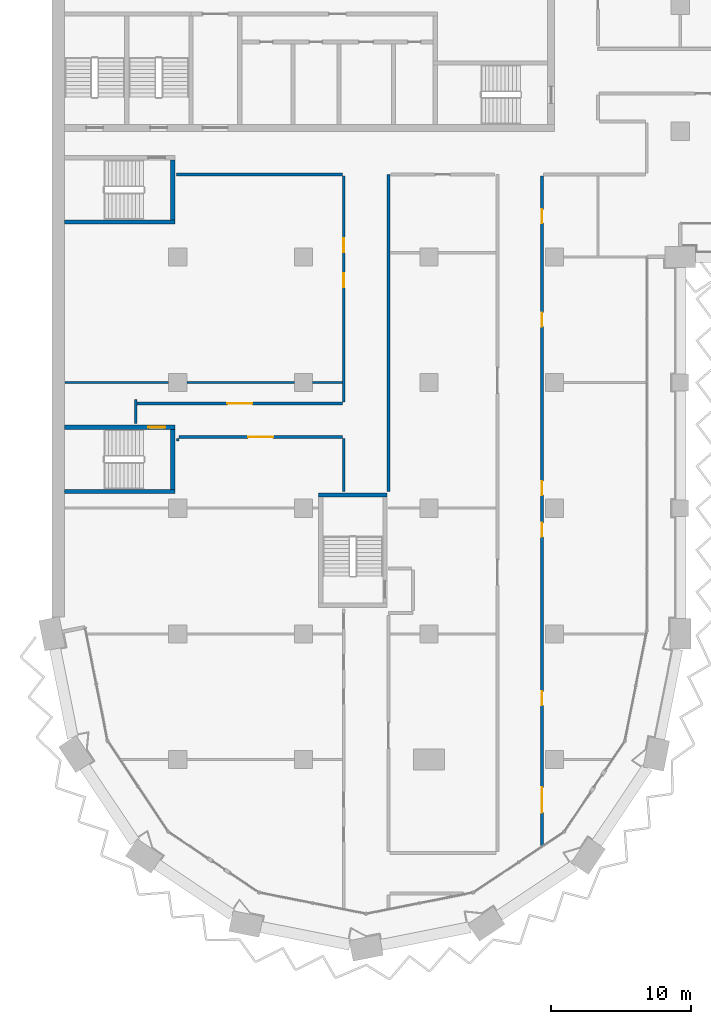
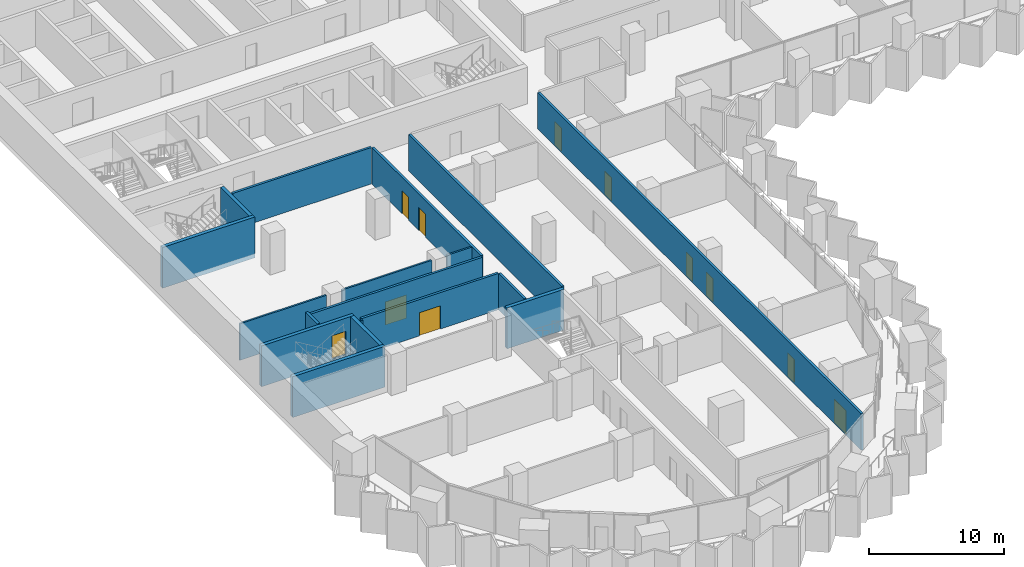
# One storey, part 10 of 23: 18 walls, 11 doors, 11 openings.
"""IFC4 building model written with IfcOpenShell, lengths in metres."""

from ifc_helpers import new_model, si_unit, direction, frame, frame_2d, origin, place, context, subcontext, project, spatial, rectangle, extrude, material, layer, layer_set, type_object, element, fill, save


model = new_model("IFC4")

# Units and contexts
model_context = context("Model", 3, precision=1e-05, world=origin(), true_north=direction((0.0, 1.0)))
body_context = subcontext(model_context, "Body", "Model", "MODEL_VIEW")
ifc_project = project(units=[si_unit("LENGTHUNIT", "METRE"), si_unit("AREAUNIT", "SQUARE_METRE"), si_unit("VOLUMEUNIT", "CUBIC_METRE"), si_unit("PLANEANGLEUNIT", "RADIAN"), si_unit("MASSUNIT", "GRAM", prefix="KILO")], contexts=[model_context])

# Site, building, storey
site_placement = place(None, origin())
site = spatial("IfcSite", under=ifc_project, at=site_placement, CompositionType="ELEMENT")
building_placement = place(site_placement, origin())
building = spatial("IfcBuilding", under=site, at=building_placement, Name="Hunhe Ridgeline Campus", CompositionType="ELEMENT")
storey_placement = place(building_placement, frame((0.0, 0.0, 99.60009765625)))
storey = spatial("IfcBuildingStorey", under=building, at=storey_placement, Name="L24", CompositionType="ELEMENT", Elevation=99.60009765625)

# Wall, opening, door
ifc_material_1 = material(Name="Gypsum board partition")
ifc_layer_1 = layer(ifc_material_1, 0.199951171875)
ifc_layer_set_1 = layer_set([ifc_layer_1], Name="Corridor partition 200 gypsum board on steel studs")
wall_type_1 = type_object("IfcWallType", Name="Corridor partition 200 gypsum board on steel studs", PredefinedType="PARTITIONING", material=ifc_layer_set_1)
wall_1_placement = place(storey_placement, frame((20.800048828125, 41.10009765625, 0.0), z_axis=(0.0, 0.0, 1.0), x_axis=(-1.0, 0.0, 0.0)))
wall_1 = element("IfcWall", 1, at=wall_1_placement, inside=storey, type_object=wall_type_1, Name="F-L24-wall-020", PredefinedType="PARTITIONING", context=body_context, shape_type="SweptSolid", body=[
    extrude(rectangle(XDim=11.72509765625, YDim=0.199951171875, at=frame_2d((5.862548828125, 0.0))), origin(), (0.0, 0.0, 1.0), 3.2998046875),
])
opening_1_placement = place(wall_1_placement, frame((4.96240234375, 0.0, 0.0)))
opening_1 = element("IfcOpeningElement", 2, at=opening_1_placement, cuts=wall_1, Name="Opening RD2-012", PredefinedType="OPENING", context=body_context, shape_type="SweptSolid", body=[
    extrude(rectangle(XDim=1.800048828125, YDim=2.10009765625, at=frame_2d((0.89990234375, 1.050048828125))), frame((0.0, 0.10009765625, 0.0), z_axis=(0.0, -1.0, 0.0), x_axis=(1.0, 0.0, 0.0)), (0.0, 0.0, 1.0), 0.199951171875),
])
ifc_material_2 = material(Name="Timber door leaf", Category="wood")
door_type_1 = type_object("IfcDoorType", Name="Double fire door 1800x2100 timber FD60", OperationType="DOUBLE_DOOR_SINGLE_SWING", PredefinedType="DOOR", material=ifc_material_2)
door_1_placement = place(opening_1_placement, origin())
door_1 = element("IfcDoor", 3, at=door_1_placement, inside=storey, type_object=door_type_1, Name="F-L24-door-012", OperationType="DOUBLE_DOOR_SINGLE_SWING", OverallHeight=2.10009765625, OverallWidth=1.800048828125, PredefinedType="DOOR", context=body_context, shape_type="SweptSolid", body=[
    extrude(rectangle(XDim=1.800048828125, YDim=2.10009765625, at=frame_2d((0.89990234375, 1.050048828125))), frame((0.0, 0.02490234375, 0.0), z_axis=(0.0, -1.0, 0.0), x_axis=(1.0, 0.0, 0.0)), (0.0, 0.0, 1.0), 0.050048828125),
])
fill(opening_1, door_1)

wall_2_placement = place(storey_placement, frame((6.10009765625, 43.5, 0.0), z_axis=(0.0, 0.0, 1.0), x_axis=(1.0, 0.0, 0.0)))
wall_2 = element("IfcWall", 4, at=wall_2_placement, inside=storey, type_object=wall_type_1, Name="F-L24-wall-021", PredefinedType="PARTITIONING", context=body_context, shape_type="SweptSolid", body=[
    extrude(rectangle(XDim=14.699951171875, YDim=0.199951171875, at=frame_2d((7.35009765625, 0.0))), origin(), (0.0, 0.0, 1.0), 3.2998046875),
])
opening_2_placement = place(wall_2_placement, frame((6.449951171875, 0.0, 0.0)))
opening_2 = element("IfcOpeningElement", 5, at=opening_2_placement, cuts=wall_2, Name="Opening RD2-013", PredefinedType="OPENING", context=body_context, shape_type="SweptSolid", body=[
    extrude(rectangle(XDim=1.800048828125, YDim=2.10009765625, at=frame_2d((0.89990234375, 1.050048828125))), frame((0.0, 0.10009765625, 0.0), z_axis=(0.0, -1.0, 0.0), x_axis=(1.0, 0.0, 0.0)), (0.0, 0.0, 1.0), 0.199951171875),
])
door_2_placement = place(opening_2_placement, origin())
door_2 = element("IfcDoor", 6, at=door_2_placement, inside=storey, type_object=door_type_1, Name="F-L24-door-013", OperationType="DOUBLE_DOOR_SINGLE_SWING", OverallHeight=2.10009765625, OverallWidth=1.800048828125, PredefinedType="DOOR", context=body_context, shape_type="SweptSolid", body=[
    extrude(rectangle(XDim=1.800048828125, YDim=2.10009765625, at=frame_2d((0.89990234375, 1.050048828125))), frame((0.0, 0.02490234375, 0.0), z_axis=(0.0, -1.0, 0.0), x_axis=(1.0, 0.0, 0.0)), (0.0, 0.0, 1.0), 0.050048828125),
])
fill(opening_2, door_2)

# Walls
wall_3_placement = place(storey_placement, frame((20.796630859375, 59.89990234375, 0.0), z_axis=(0.0, 0.0, 1.0), x_axis=(-1.0, 0.0, 0.0)))
element("IfcWall", 7, at=wall_3_placement, inside=storey, type_object=wall_type_1, Name="F-L24-wall-029", PredefinedType="PARTITIONING", context=body_context, shape_type="SweptSolid", body=[
    extrude(rectangle(XDim=11.892578125, YDim=0.199951171875, at=frame_2d((5.9462890625, 0.0))), origin(), (0.0, 0.0, 1.0), 3.2998046875),
])
wall_4_placement = place(storey_placement, frame((6.0, 42.053955078125, 0.0), z_axis=(0.0, 0.0, 1.0), x_axis=(0.0, 1.0, 0.0)))
element("IfcWall", 8, at=wall_4_placement, inside=storey, type_object=wall_type_1, Name="F-L24-wall-040", PredefinedType="PARTITIONING", context=body_context, shape_type="SweptSolid", body=[
    extrude(rectangle(XDim=1.74609375, YDim=0.199951171875, at=frame_2d((0.873046875, 0.0))), origin(), (0.0, 0.0, 1.0), 3.2998046875),
])
wall_5_placement = place(storey_placement, frame((20.89990234375, 37.2041015625, 0.0), z_axis=(0.0, 0.0, 1.0), x_axis=(0.0, 1.0, 0.0)))
element("IfcWall", 9, at=wall_5_placement, inside=storey, type_object=wall_type_1, Name="F-L24-wall-043", PredefinedType="PARTITIONING", context=body_context, shape_type="SweptSolid", body=[
    extrude(rectangle(XDim=3.7958984375, YDim=0.199951171875, at=frame_2d((1.89794921875, 0.0))), origin(), (0.0, 0.0, 1.0), 3.2998046875),
])

# Wall, openings, doors
wall_6_placement = place(storey_placement, frame((20.89990234375, 43.6181640625, 0.0), z_axis=(0.0, 0.0, 1.0), x_axis=(0.0, 1.0, 0.0)))
wall_6 = element("IfcWall", 10, at=wall_6_placement, inside=storey, type_object=wall_type_1, Name="F-L24-wall-044", PredefinedType="PARTITIONING", context=body_context, shape_type="SweptSolid", body=[
    extrude(rectangle(XDim=16.181884765625, YDim=0.199951171875, at=frame_2d((8.0908203125, 0.0))), origin(), (0.0, 0.0, 1.0), 3.2998046875),
])
opening_3_placement = place(wall_6_placement, frame((8.22314453125, 0.0, 0.0)))
opening_3 = element("IfcOpeningElement", 11, at=opening_3_placement, cuts=wall_6, Name="Opening RD1-016", PredefinedType="OPENING", context=body_context, shape_type="SweptSolid", body=[
    extrude(rectangle(XDim=1.0, YDim=2.10009765625, at=frame_2d((0.5, 1.050048828125))), frame((0.0, 0.10009765625, 0.0), z_axis=(0.0, -1.0, 0.0), x_axis=(1.0, 0.0, 0.0)), (0.0, 0.0, 1.0), 0.199951171875),
])
opening_4_placement = place(wall_6_placement, frame((10.72314453125, 0.0, 0.0)))
opening_4 = element("IfcOpeningElement", 12, at=opening_4_placement, cuts=wall_6, Name="Opening RD1-017", PredefinedType="OPENING", context=body_context, shape_type="SweptSolid", body=[
    extrude(rectangle(XDim=1.0, YDim=2.10009765625, at=frame_2d((0.5, 1.050048828125))), frame((0.0, 0.10009765625, 0.0), z_axis=(0.0, -1.0, 0.0), x_axis=(1.0, 0.0, 0.0)), (0.0, 0.0, 1.0), 0.199951171875),
])
door_type_2 = type_object("IfcDoorType", Name="Single fire door 1000x2100 timber FD60", OperationType="NOTDEFINED", PredefinedType="DOOR", material=ifc_material_2)
door_3_placement = place(opening_3_placement, frame((1.0, 0.0, 0.0), z_axis=(0.0, 0.0, 1.0), x_axis=(-1.0, 0.0, 0.0)))
door_3 = element("IfcDoor", 13, at=door_3_placement, inside=storey, type_object=door_type_2, Name="F-L24-door-016", OperationType="SINGLE_SWING_RIGHT", OverallHeight=2.10009765625, OverallWidth=1.0, PredefinedType="DOOR", context=body_context, shape_type="SweptSolid", body=[
    extrude(rectangle(XDim=1.0, YDim=2.10009765625, at=frame_2d((0.5, 1.050048828125))), frame((0.0, 0.02490234375, 0.0), z_axis=(0.0, -1.0, 0.0), x_axis=(1.0, 0.0, 0.0)), (0.0, 0.0, 1.0), 0.050048828125),
])
fill(opening_3, door_3)
door_4_placement = place(opening_4_placement, frame((1.0, 0.0, 0.0), z_axis=(0.0, 0.0, 1.0), x_axis=(-1.0, 0.0, 0.0)))
door_4 = element("IfcDoor", 14, at=door_4_placement, inside=storey, type_object=door_type_2, Name="F-L24-door-017", OperationType="SINGLE_SWING_LEFT", OverallHeight=2.10009765625, OverallWidth=1.0, PredefinedType="DOOR", context=body_context, shape_type="SweptSolid", body=[
    extrude(rectangle(XDim=1.0, YDim=2.10009765625, at=frame_2d((0.5, 1.050048828125))), frame((0.0, 0.02490234375, 0.0), z_axis=(0.0, -1.0, 0.0), x_axis=(1.0, 0.0, 0.0)), (0.0, 0.0, 1.0), 0.050048828125),
])
fill(opening_4, door_4)

# Wall
wall_7_placement = place(storey_placement, frame((24.10009765625, 59.89990234375, 0.0), z_axis=(0.0, 0.0, 1.0), x_axis=(0.0, -1.0, 0.0)))
element("IfcWall", 15, at=wall_7_placement, inside=storey, type_object=wall_type_1, Name="F-L24-wall-047", PredefinedType="PARTITIONING", context=body_context, shape_type="SweptSolid", body=[
    extrude(rectangle(XDim=22.69580078125, YDim=0.199951171875, at=frame_2d((11.347900390625, 0.0))), origin(), (0.0, 0.0, 1.0), 3.2998046875),
])

# Wall, openings, doors
wall_8_placement = place(storey_placement, frame((35.10009765625, 59.800048828125, 0.0), z_axis=(0.0, 0.0, 1.0), x_axis=(0.0, -1.0, 0.0)))
wall_8 = element("IfcWall", 16, at=wall_8_placement, inside=storey, type_object=wall_type_1, Name="F-L24-wall-050", PredefinedType="PARTITIONING", context=body_context, shape_type="SweptSolid", body=[
    extrude(rectangle(XDim=47.968994140625, YDim=0.199951171875, at=frame_2d((23.984375, 0.0))), origin(), (0.0, 0.0, 1.0), 3.2998046875),
])
opening_5_placement = place(wall_8_placement, frame((43.803955078125, 0.0, 0.0)))
opening_5 = element("IfcOpeningElement", 17, at=opening_5_placement, cuts=wall_8, Name="Opening RD2-003", PredefinedType="OPENING", context=body_context, shape_type="SweptSolid", body=[
    extrude(rectangle(XDim=1.800048828125, YDim=2.10009765625, at=frame_2d((0.89990234375, 1.050048828125))), frame((0.0, 0.10009765625, 0.0), z_axis=(0.0, -1.0, 0.0), x_axis=(1.0, 0.0, 0.0)), (0.0, 0.0, 1.0), 0.199951171875),
])
opening_6_placement = place(wall_8_placement, frame((36.9208984375, 0.0, 0.0)))
opening_6 = element("IfcOpeningElement", 18, at=opening_6_placement, cuts=wall_8, Name="Opening RD1-005", PredefinedType="OPENING", context=body_context, shape_type="SweptSolid", body=[
    extrude(rectangle(XDim=1.0, YDim=2.10009765625, at=frame_2d((0.5, 1.050048828125))), frame((0.0, 0.10009765625, 0.0), z_axis=(0.0, -1.0, 0.0), x_axis=(1.0, 0.0, 0.0)), (0.0, 0.0, 1.0), 0.199951171875),
])
opening_7_placement = place(wall_8_placement, frame((24.85888671875, 0.0, 0.0)))
opening_7 = element("IfcOpeningElement", 19, at=opening_7_placement, cuts=wall_8, Name="Opening RD1-010", PredefinedType="OPENING", context=body_context, shape_type="SweptSolid", body=[
    extrude(rectangle(XDim=1.0, YDim=2.10009765625, at=frame_2d((0.5, 1.050048828125))), frame((0.0, 0.10009765625, 0.0), z_axis=(0.0, -1.0, 0.0), x_axis=(1.0, 0.0, 0.0)), (0.0, 0.0, 1.0), 0.199951171875),
])
opening_8_placement = place(wall_8_placement, frame((21.85888671875, 0.0, 0.0)))
opening_8 = element("IfcOpeningElement", 20, at=opening_8_placement, cuts=wall_8, Name="Opening RD1-011", PredefinedType="OPENING", context=body_context, shape_type="SweptSolid", body=[
    extrude(rectangle(XDim=1.0, YDim=2.10009765625, at=frame_2d((0.5, 1.050048828125))), frame((0.0, 0.10009765625, 0.0), z_axis=(0.0, -1.0, 0.0), x_axis=(1.0, 0.0, 0.0)), (0.0, 0.0, 1.0), 0.199951171875),
])
opening_9_placement = place(wall_8_placement, frame((9.797119140625, 0.0, 0.0)))
opening_9 = element("IfcOpeningElement", 21, at=opening_9_placement, cuts=wall_8, Name="Opening RD1-015", PredefinedType="OPENING", context=body_context, shape_type="SweptSolid", body=[
    extrude(rectangle(XDim=1.0, YDim=2.10009765625, at=frame_2d((0.5, 1.050048828125))), frame((0.0, 0.10009765625, 0.0), z_axis=(0.0, -1.0, 0.0), x_axis=(1.0, 0.0, 0.0)), (0.0, 0.0, 1.0), 0.199951171875),
])
opening_10_placement = place(wall_8_placement, frame((2.38818359375, 0.0, 0.0)))
opening_10 = element("IfcOpeningElement", 22, at=opening_10_placement, cuts=wall_8, Name="Opening RD1-018", PredefinedType="OPENING", context=body_context, shape_type="SweptSolid", body=[
    extrude(rectangle(XDim=1.0, YDim=2.10009765625, at=frame_2d((0.5, 1.050048828125))), frame((0.0, 0.10009765625, 0.0), z_axis=(0.0, -1.0, 0.0), x_axis=(1.0, 0.0, 0.0)), (0.0, 0.0, 1.0), 0.199951171875),
])
door_5_placement = place(opening_5_placement, origin())
door_5 = element("IfcDoor", 23, at=door_5_placement, inside=storey, type_object=door_type_1, Name="F-L24-door-003", OperationType="DOUBLE_DOOR_SINGLE_SWING", OverallHeight=2.10009765625, OverallWidth=1.800048828125, PredefinedType="DOOR", context=body_context, shape_type="SweptSolid", body=[
    extrude(rectangle(XDim=1.800048828125, YDim=2.10009765625, at=frame_2d((0.89990234375, 1.050048828125))), frame((0.0, 0.02490234375, 0.0), z_axis=(0.0, -1.0, 0.0), x_axis=(1.0, 0.0, 0.0)), (0.0, 0.0, 1.0), 0.050048828125),
])
fill(opening_5, door_5)
door_6_placement = place(opening_6_placement, origin())
door_6 = element("IfcDoor", 24, at=door_6_placement, inside=storey, type_object=door_type_2, Name="F-L24-door-005", OperationType="SINGLE_SWING_LEFT", OverallHeight=2.10009765625, OverallWidth=1.0, PredefinedType="DOOR", context=body_context, shape_type="SweptSolid", body=[
    extrude(rectangle(XDim=1.0, YDim=2.10009765625, at=frame_2d((0.5, 1.050048828125))), frame((0.0, 0.02490234375, 0.0), z_axis=(0.0, -1.0, 0.0), x_axis=(1.0, 0.0, 0.0)), (0.0, 0.0, 1.0), 0.050048828125),
])
fill(opening_6, door_6)
door_7_placement = place(opening_7_placement, frame((1.0, 0.0, 0.0), z_axis=(0.0, 0.0, 1.0), x_axis=(-1.0, 0.0, 0.0)))
door_7 = element("IfcDoor", 25, at=door_7_placement, inside=storey, type_object=door_type_2, Name="F-L24-door-010", OperationType="SINGLE_SWING_LEFT", OverallHeight=2.10009765625, OverallWidth=1.0, PredefinedType="DOOR", context=body_context, shape_type="SweptSolid", body=[
    extrude(rectangle(XDim=1.0, YDim=2.10009765625, at=frame_2d((0.5, 1.050048828125))), frame((0.0, 0.02490234375, 0.0), z_axis=(0.0, -1.0, 0.0), x_axis=(1.0, 0.0, 0.0)), (0.0, 0.0, 1.0), 0.050048828125),
])
fill(opening_7, door_7)
door_8_placement = place(opening_8_placement, frame((1.0, 0.0, 0.0), z_axis=(0.0, 0.0, 1.0), x_axis=(-1.0, 0.0, 0.0)))
door_8 = element("IfcDoor", 26, at=door_8_placement, inside=storey, type_object=door_type_2, Name="F-L24-door-011", OperationType="SINGLE_SWING_RIGHT", OverallHeight=2.10009765625, OverallWidth=1.0, PredefinedType="DOOR", context=body_context, shape_type="SweptSolid", body=[
    extrude(rectangle(XDim=1.0, YDim=2.10009765625, at=frame_2d((0.5, 1.050048828125))), frame((0.0, 0.02490234375, 0.0), z_axis=(0.0, -1.0, 0.0), x_axis=(1.0, 0.0, 0.0)), (0.0, 0.0, 1.0), 0.050048828125),
])
fill(opening_8, door_8)
door_9_placement = place(opening_9_placement, origin())
door_9 = element("IfcDoor", 27, at=door_9_placement, inside=storey, type_object=door_type_2, Name="F-L24-door-015", OperationType="SINGLE_SWING_LEFT", OverallHeight=2.10009765625, OverallWidth=1.0, PredefinedType="DOOR", context=body_context, shape_type="SweptSolid", body=[
    extrude(rectangle(XDim=1.0, YDim=2.10009765625, at=frame_2d((0.5, 1.050048828125))), frame((0.0, 0.02490234375, 0.0), z_axis=(0.0, -1.0, 0.0), x_axis=(1.0, 0.0, 0.0)), (0.0, 0.0, 1.0), 0.050048828125),
])
fill(opening_9, door_9)
door_10_placement = place(opening_10_placement, origin())
door_10 = element("IfcDoor", 28, at=door_10_placement, inside=storey, type_object=door_type_2, Name="F-L24-door-018", OperationType="SINGLE_SWING_LEFT", OverallHeight=2.10009765625, OverallWidth=1.0, PredefinedType="DOOR", context=body_context, shape_type="SweptSolid", body=[
    extrude(rectangle(XDim=1.0, YDim=2.10009765625, at=frame_2d((0.5, 1.050048828125))), frame((0.0, 0.02490234375, 0.0), z_axis=(0.0, -1.0, 0.0), x_axis=(1.0, 0.0, 0.0)), (0.0, 0.0, 1.0), 0.050048828125),
])
fill(opening_10, door_10)

# Walls
ifc_layer_2 = layer(ifc_material_1, 0.14990234375)
ifc_layer_set_2 = layer_set([ifc_layer_2], Name="Room partition 150 gypsum board on steel studs")
wall_type_2 = type_object("IfcWallType", Name="Room partition 150 gypsum board on steel studs", PredefinedType="PARTITIONING", material=ifc_layer_set_2)
wall_9_placement = place(storey_placement, frame((0.919921875, 45.0, 0.0), z_axis=(0.0, 0.0, 1.0), x_axis=(1.0, 0.0, 0.0)))
element("IfcWall", 29, at=wall_9_placement, inside=storey, type_object=wall_type_2, Name="F-L24-wall-022", PredefinedType="PARTITIONING", context=body_context, shape_type="SweptSolid", body=[
    extrude(rectangle(XDim=7.43017578125, YDim=0.14990234375, at=frame_2d((3.715087890625, 0.0))), origin(), (0.0, 0.0, 1.0), 3.2998046875),
])
wall_10_placement = place(storey_placement, frame((9.64990234375, 45.0, 0.0), z_axis=(0.0, 0.0, 1.0), x_axis=(1.0, 0.0, 0.0)))
element("IfcWall", 30, at=wall_10_placement, inside=storey, type_object=wall_type_2, Name="F-L24-wall-023", PredefinedType="PARTITIONING", context=body_context, shape_type="SweptSolid", body=[
    extrude(rectangle(XDim=7.7001953125, YDim=0.14990234375, at=frame_2d((3.85009765625, 0.0))), origin(), (0.0, 0.0, 1.0), 3.2998046875),
])
wall_11_placement = place(storey_placement, frame((18.64990234375, 45.0, 0.0), z_axis=(0.0, 0.0, 1.0), x_axis=(1.0, 0.0, 0.0)))
element("IfcWall", 31, at=wall_11_placement, inside=storey, type_object=wall_type_2, Name="F-L24-wall-024", PredefinedType="PARTITIONING", context=body_context, shape_type="SweptSolid", body=[
    extrude(rectangle(XDim=2.150146484375, YDim=0.14990234375, at=frame_2d((1.0751953125, 0.0))), origin(), (0.0, 0.0, 1.0), 3.2998046875),
])
wall_12_placement = place(storey_placement, frame((9.0, 41.0, 0.0), z_axis=(0.0, 0.0, 1.0), x_axis=(0.0, -1.0, 0.0)))
element("IfcWall", 32, at=wall_12_placement, inside=storey, type_object=wall_type_2, Name="F-L24-wall-041", PredefinedType="PARTITIONING", context=body_context, shape_type="SweptSolid", body=[
    extrude(rectangle(XDim=0.199951171875, YDim=0.14990234375, at=frame_2d((0.10009765625, 0.0))), origin(), (0.0, 0.0, 1.0), 3.2998046875),
])
ifc_material_3 = material(Name="Concrete C80", Category="concrete")
ifc_layer_3 = layer(ifc_material_3, 0.300048828125)
ifc_layer_set_3 = layer_set([ifc_layer_3], Name="Stair wall 300 reinforced concrete C80")
wall_type_3 = type_object("IfcWallType", Name="Stair wall 300 reinforced concrete C80", PredefinedType="SOLIDWALL", material=ifc_layer_set_3)
wall_13_placement = place(storey_placement, frame((19.10009765625, 36.949951171875, -0.400146484375), z_axis=(0.0, 0.0, 1.0), x_axis=(1.0, 0.0, 0.0)))
element("IfcWall", 33, at=wall_13_placement, inside=storey, type_object=wall_type_3, Name="L24 core wall 2", PredefinedType="SOLIDWALL", context=body_context, shape_type="SweptSolid", body=[
    extrude(rectangle(XDim=4.89990234375, YDim=0.300048828125, at=frame_2d((2.449951171875, 0.0))), origin(), (0.0, 0.0, 1.0), 3.699951171875),
])
wall_14_placement = place(storey_placement, frame((0.89990234375, 37.199951171875, -0.400146484375), z_axis=(0.0, 0.0, 1.0), x_axis=(1.0, 0.0, 0.0)))
element("IfcWall", 34, at=wall_14_placement, inside=storey, type_object=wall_type_3, Name="L24 core wall 3", PredefinedType="SOLIDWALL", context=body_context, shape_type="SweptSolid", body=[
    extrude(rectangle(XDim=7.900146484375, YDim=0.300048828125, at=frame_2d((3.9501953125, 0.0))), origin(), (0.0, 0.0, 1.0), 3.699951171875),
])

# Wall, opening, door
wall_15_placement = place(storey_placement, frame((0.89990234375, 41.800048828125, -0.400146484375), z_axis=(0.0, 0.0, 1.0), x_axis=(1.0, 0.0, 0.0)))
wall_15 = element("IfcWall", 35, at=wall_15_placement, inside=storey, type_object=wall_type_3, Name="L24 core wall 4", PredefinedType="SOLIDWALL", context=body_context, shape_type="SweptSolid", body=[
    extrude(rectangle(XDim=7.900146484375, YDim=0.300048828125, at=frame_2d((3.9501953125, 0.0))), origin(), (0.0, 0.0, 1.0), 3.699951171875),
])
opening_11_placement = place(wall_15_placement, frame((6.0, 0.0, 0.39990234375)))
opening_11 = element("IfcOpeningElement", 36, at=opening_11_placement, cuts=wall_15, Name="Opening CD21", PredefinedType="OPENING", context=body_context, shape_type="SweptSolid", body=[
    extrude(rectangle(XDim=1.199951171875, YDim=2.10009765625, at=frame_2d((0.60009765625, 1.050048828125))), frame((0.0, 0.14990234375, 0.0), z_axis=(0.0, -1.0, 0.0), x_axis=(1.0, 0.0, 0.0)), (0.0, 0.0, 1.0), 0.300048828125),
])
ifc_material_4 = material(Name="Hollow metal fire door leaf")
door_type_3 = type_object("IfcDoorType", Name="Stair door 1200x2100 FD60", OperationType="SINGLE_SWING_LEFT", PredefinedType="DOOR", material=ifc_material_4)
door_11_placement = place(opening_11_placement, origin())
door_11 = element("IfcDoor", 37, at=door_11_placement, inside=storey, type_object=door_type_3, Name="L24 door W1", OperationType="SINGLE_SWING_RIGHT", OverallHeight=2.10009765625, OverallWidth=1.199951171875, PredefinedType="DOOR", context=body_context, shape_type="SweptSolid", body=[
    extrude(rectangle(XDim=1.199951171875, YDim=2.10009765625, at=frame_2d((0.60009765625, 1.050048828125))), frame((0.0, 0.02490234375, 0.0), z_axis=(0.0, -1.0, 0.0), x_axis=(1.0, 0.0, 0.0)), (0.0, 0.0, 1.0), 0.050048828125),
])
fill(opening_11, door_11)

# Walls
wall_16_placement = place(storey_placement, frame((0.89990234375, 56.5, -0.400146484375), z_axis=(0.0, 0.0, 1.0), x_axis=(1.0, 0.0, 0.0)))
element("IfcWall", 38, at=wall_16_placement, inside=storey, type_object=wall_type_3, Name="L24 core wall 5", PredefinedType="SOLIDWALL", context=body_context, shape_type="SweptSolid", body=[
    extrude(rectangle(XDim=7.900146484375, YDim=0.300048828125, at=frame_2d((3.9501953125, 0.0))), origin(), (0.0, 0.0, 1.0), 3.699951171875),
])
wall_17_placement = place(storey_placement, frame((8.64990234375, 37.35009765625, -0.400146484375), z_axis=(0.0, 0.0, 1.0), x_axis=(0.0, 1.0, 0.0)))
element("IfcWall", 39, at=wall_17_placement, inside=storey, type_object=wall_type_3, Name="L24 core wall 36", PredefinedType="SOLIDWALL", context=body_context, shape_type="SweptSolid", body=[
    extrude(rectangle(XDim=4.2998046875, YDim=0.300048828125, at=frame_2d((2.14990234375, 0.0))), origin(), (0.0, 0.0, 1.0), 3.699951171875),
])
wall_18_placement = place(storey_placement, frame((8.64990234375, 56.64990234375, -0.400146484375), z_axis=(0.0, 0.0, 1.0), x_axis=(0.0, 1.0, 0.0)))
element("IfcWall", 40, at=wall_18_placement, inside=storey, type_object=wall_type_3, Name="L24 core wall 37", PredefinedType="SOLIDWALL", context=body_context, shape_type="SweptSolid", body=[
    extrude(rectangle(XDim=4.300048828125, YDim=0.300048828125, at=frame_2d((2.14990234375, 0.0))), origin(), (0.0, 0.0, 1.0), 3.699951171875),
])

save(model, "model.ifc")
